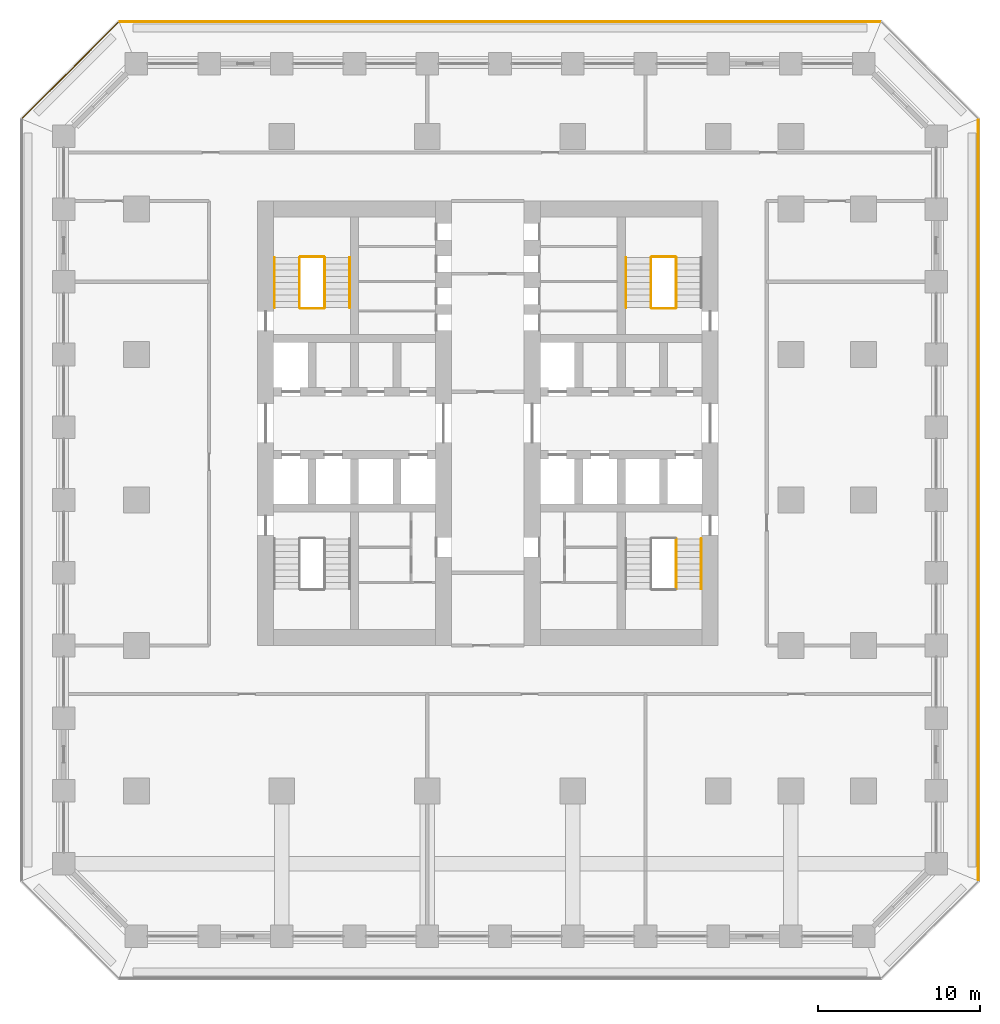
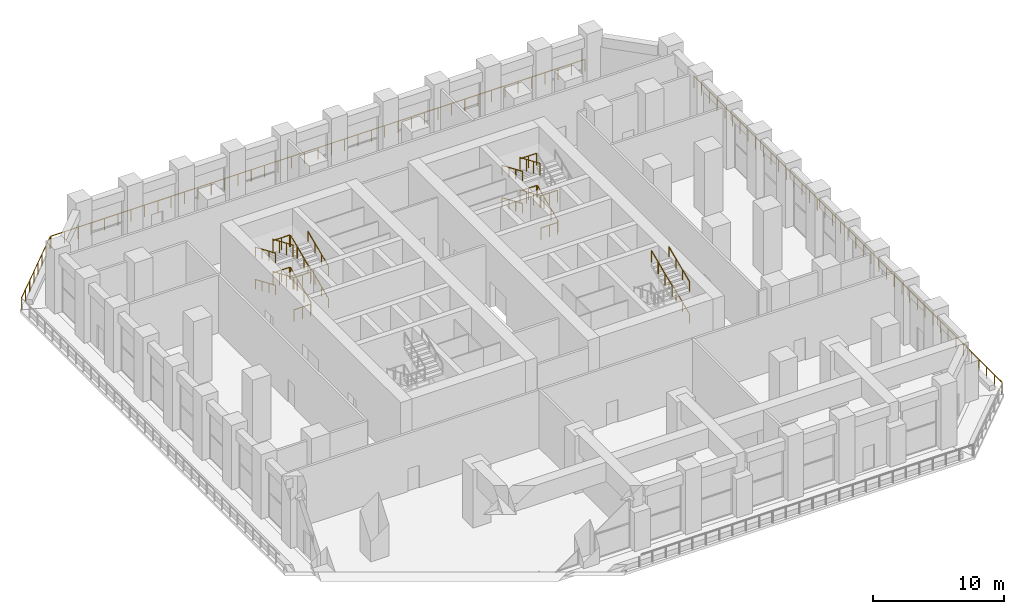
# One storey, part 17 of 19: 27 railings.
"""IFC4 building model written with IfcOpenShell, lengths in metres."""

from ifc_helpers import new_model, si_unit, direction, frame, origin, origin_2d, place, context, subcontext, project, spatial, circle, extrude, material, type_object, element, save


model = new_model("IFC4")

# Units and contexts
model_context = context("Model", 3, precision=1e-05, world=origin(), true_north=direction((0.0, 1.0)))
body_context = subcontext(model_context, "Body", "Model", "MODEL_VIEW")
ifc_project = project(units=[si_unit("LENGTHUNIT", "METRE"), si_unit("AREAUNIT", "SQUARE_METRE"), si_unit("VOLUMEUNIT", "CUBIC_METRE"), si_unit("PLANEANGLEUNIT", "RADIAN"), si_unit("MASSUNIT", "GRAM", prefix="KILO")], contexts=[model_context])

# Site, building, storey
site_placement = place(None, origin())
site = spatial("IfcSite", under=ifc_project, at=site_placement, CompositionType="ELEMENT")
building_placement = place(site_placement, origin())
building = spatial("IfcBuilding", under=site, at=building_placement, Name="Corbel Stack Research Tower", CompositionType="ELEMENT")
storey_placement = place(building_placement, frame((0.0, 0.0, 70.60009765625)))
storey = spatial("IfcBuildingStorey", under=building, at=storey_placement, Name="L16", CompositionType="ELEMENT", Elevation=70.60009765625)

# Railings
ifc_material_1 = material(Name="Steel S355", Category="steel")
railing_type_1 = type_object("IfcRailingType", Name="Stair guard 1100", PredefinedType="GUARDRAIL", material=ifc_material_1)
railing_1_placement = place(storey_placement, frame((-6.35009765625, 11.89990234375, 0.16650390625)))
element("IfcRailing", 1, at=railing_1_placement, inside=storey, type_object=railing_type_1, Name="L16 ST-W2 stair guard 1", PredefinedType="GUARDRAIL", context=body_context, shape_type="SweptSolid", body=[
    extrude(circle(Radius=0.02392578125, at=origin_2d()), frame((0.0, 0.0, 1.076171875), z_axis=(0.0, 0.918800789217, 0.394721559753), x_axis=(-1.0, 0.0, 0.0)), (0.0, 0.0, 1.0), 3.37841796875),
    extrude(circle(Radius=0.02099609375, at=origin_2d()), origin(), (0.0, 0.0, 1.0), 1.052001953125),
    extrude(circle(Radius=0.02099609375, at=origin_2d()), frame((0.0, 1.03466796875, 0.444580078125)), (0.0, 0.0, 1.0), 1.052001953125),
    extrude(circle(Radius=0.02099609375, at=origin_2d()), frame((0.0, 2.0693359375, 0.888916015625)), (0.0, 0.0, 1.0), 1.052001953125),
    extrude(circle(Radius=0.02099609375, at=origin_2d()), frame((0.0, 3.10400390625, 1.33349609375)), (0.0, 0.0, 1.0), 1.052001953125),
])
railing_2_placement = place(storey_placement, frame((-6.39990234375, 15.053955078125, 1.5)))
element("IfcRailing", 2, at=railing_2_placement, inside=storey, type_object=railing_type_1, Name="L16 ST-W2 stair guard 2", PredefinedType="GUARDRAIL", context=body_context, shape_type="SweptSolid", body=[
    extrude(circle(Radius=0.02392578125, at=origin_2d()), frame((0.0, 0.0, 1.076171875), z_axis=(-1.0, 0.0, 0.0), x_axis=(0.0, -1.0, 0.0)), (0.0, 0.0, 1.0), 1.4501953125),
    extrude(circle(Radius=0.02099609375, at=origin_2d()), origin(), (0.0, 0.0, 1.0), 1.052001953125),
    extrude(circle(Radius=0.02099609375, at=origin_2d()), frame((-0.72509765625, 0.0, 0.0)), (0.0, 0.0, 1.0), 1.052001953125),
    extrude(circle(Radius=0.02099609375, at=origin_2d()), frame((-1.4501953125, 0.0, 0.0)), (0.0, 0.0, 1.0), 1.052001953125),
])
railing_3_placement = place(storey_placement, frame((-7.89990234375, 15.00390625, 1.66650390625)))
element("IfcRailing", 3, at=railing_3_placement, inside=storey, type_object=railing_type_1, Name="L16 ST-W2 stair guard 3", PredefinedType="GUARDRAIL", context=body_context, shape_type="SweptSolid", body=[
    extrude(circle(Radius=0.02392578125, at=origin_2d()), frame((0.0, 0.0, 1.076171875), z_axis=(0.0, -0.918800789217, 0.394721559753), x_axis=(1.0, 0.0, 0.0)), (0.0, 0.0, 1.0), 3.37841796875),
    extrude(circle(Radius=0.02099609375, at=origin_2d()), origin(), (0.0, 0.0, 1.0), 1.052001953125),
    extrude(circle(Radius=0.02099609375, at=origin_2d()), frame((0.0, -1.03466796875, 0.444580078125)), (0.0, 0.0, 1.0), 1.052001953125),
    extrude(circle(Radius=0.02099609375, at=origin_2d()), frame((0.0, -2.0693359375, 0.888916015625)), (0.0, 0.0, 1.0), 1.052001953125),
    extrude(circle(Radius=0.02099609375, at=origin_2d()), frame((0.0, -3.10400390625, 1.33349609375)), (0.0, 0.0, 1.0), 1.052001953125),
])
railing_4_placement = place(storey_placement, frame((-6.39990234375, 11.85009765625, 3.0)))
element("IfcRailing", 4, at=railing_4_placement, inside=storey, type_object=railing_type_1, Name="L16 ST-W2 stair guard 4", PredefinedType="GUARDRAIL", context=body_context, shape_type="SweptSolid", body=[
    extrude(circle(Radius=0.02392578125, at=origin_2d()), frame((0.0, 0.0, 1.076171875), z_axis=(-1.0, 0.0, 0.0), x_axis=(0.0, -1.0, 0.0)), (0.0, 0.0, 1.0), 1.4501953125),
    extrude(circle(Radius=0.02099609375, at=origin_2d()), origin(), (0.0, 0.0, 1.0), 1.052001953125),
    extrude(circle(Radius=0.02099609375, at=origin_2d()), frame((-0.72509765625, 0.0, 0.0)), (0.0, 0.0, 1.0), 1.052001953125),
    extrude(circle(Radius=0.02099609375, at=origin_2d()), frame((-1.4501953125, 0.0, 0.0)), (0.0, 0.0, 1.0), 1.052001953125),
])
railing_5_placement = place(storey_placement, frame((-6.35009765625, 11.89990234375, 3.16650390625)))
element("IfcRailing", 5, at=railing_5_placement, inside=storey, type_object=railing_type_1, Name="L16 ST-W2 stair guard 5", PredefinedType="GUARDRAIL", context=body_context, shape_type="SweptSolid", body=[
    extrude(circle(Radius=0.02392578125, at=origin_2d()), frame((0.0, 0.0, 1.076171875), z_axis=(0.0, 0.918800789217, 0.394721559753), x_axis=(-1.0, 0.0, 0.0)), (0.0, 0.0, 1.0), 3.37841796875),
    extrude(circle(Radius=0.02099609375, at=origin_2d()), origin(), (0.0, 0.0, 1.0), 1.052001953125),
    extrude(circle(Radius=0.02099609375, at=origin_2d()), frame((0.0, 1.03466796875, 0.444580078125)), (0.0, 0.0, 1.0), 1.052001953125),
    extrude(circle(Radius=0.02099609375, at=origin_2d()), frame((0.0, 2.0693359375, 0.888916015625)), (0.0, 0.0, 1.0), 1.052001953125),
    extrude(circle(Radius=0.02099609375, at=origin_2d()), frame((0.0, 3.10400390625, 1.33349609375)), (0.0, 0.0, 1.0), 1.052001953125),
])
railing_6_placement = place(storey_placement, frame((-6.39990234375, 15.053955078125, 4.5)))
element("IfcRailing", 6, at=railing_6_placement, inside=storey, type_object=railing_type_1, Name="L16 ST-W2 stair guard 6", PredefinedType="GUARDRAIL", context=body_context, shape_type="SweptSolid", body=[
    extrude(circle(Radius=0.02392578125, at=origin_2d()), frame((0.0, 0.0, 1.076171875), z_axis=(-1.0, 0.0, 0.0), x_axis=(0.0, -1.0, 0.0)), (0.0, 0.0, 1.0), 1.4501953125),
    extrude(circle(Radius=0.02099609375, at=origin_2d()), origin(), (0.0, 0.0, 1.0), 1.052001953125),
    extrude(circle(Radius=0.02099609375, at=origin_2d()), frame((-0.72509765625, 0.0, 0.0)), (0.0, 0.0, 1.0), 1.052001953125),
    extrude(circle(Radius=0.02099609375, at=origin_2d()), frame((-1.4501953125, 0.0, 0.0)), (0.0, 0.0, 1.0), 1.052001953125),
])
railing_7_placement = place(storey_placement, frame((-7.89990234375, 15.00390625, 4.66650390625)))
element("IfcRailing", 7, at=railing_7_placement, inside=storey, type_object=railing_type_1, Name="L16 ST-W2 stair guard 7", PredefinedType="GUARDRAIL", context=body_context, shape_type="SweptSolid", body=[
    extrude(circle(Radius=0.02392578125, at=origin_2d()), frame((0.0, 0.0, 1.076171875), z_axis=(0.0, -0.918800789217, 0.394721559753), x_axis=(1.0, 0.0, 0.0)), (0.0, 0.0, 1.0), 3.37841796875),
    extrude(circle(Radius=0.02099609375, at=origin_2d()), origin(), (0.0, 0.0, 1.0), 1.052001953125),
    extrude(circle(Radius=0.02099609375, at=origin_2d()), frame((0.0, -1.03466796875, 0.444580078125)), (0.0, 0.0, 1.0), 1.052001953125),
    extrude(circle(Radius=0.02099609375, at=origin_2d()), frame((0.0, -2.0693359375, 0.888916015625)), (0.0, 0.0, 1.0), 1.052001953125),
    extrude(circle(Radius=0.02099609375, at=origin_2d()), frame((0.0, -3.10400390625, 1.33349609375)), (0.0, 0.0, 1.0), 1.052001953125),
])
railing_8_placement = place(storey_placement, frame((-6.39990234375, 11.85009765625, 0.0)))
element("IfcRailing", 8, at=railing_8_placement, inside=storey, type_object=railing_type_1, Name="L16 ST-W2 stair guard 8", PredefinedType="GUARDRAIL", context=body_context, shape_type="SweptSolid", body=[
    extrude(circle(Radius=0.02392578125, at=origin_2d()), frame((0.0, 0.0, 1.076171875), z_axis=(-1.0, 0.0, 0.0), x_axis=(0.0, -1.0, 0.0)), (0.0, 0.0, 1.0), 1.4501953125),
    extrude(circle(Radius=0.02099609375, at=origin_2d()), origin(), (0.0, 0.0, 1.0), 1.052001953125),
    extrude(circle(Radius=0.02099609375, at=origin_2d()), frame((-0.72509765625, 0.0, 0.0)), (0.0, 0.0, 1.0), 1.052001953125),
    extrude(circle(Radius=0.02099609375, at=origin_2d()), frame((-1.4501953125, 0.0, 0.0)), (0.0, 0.0, 1.0), 1.052001953125),
])
for number, where, name in (
    (9, (15.39990234375, -5.50390625, 4.66650390625), "L16 ST-E1 stair guard 7"),
    (10, (15.39990234375, 11.89990234375, 0.16650390625), "L16 ST-E2 stair guard 1"),
):
    element("IfcRailing", number, at=place(storey_placement, frame(where)), inside=storey, type_object=railing_type_1, Name=name, PredefinedType="GUARDRAIL", context=body_context, shape_type="SweptSolid", body=[
        extrude(circle(Radius=0.02392578125, at=origin_2d()), frame((0.0, 0.0, 1.076171875), z_axis=(0.0, 0.918800789217, 0.394721559753), x_axis=(-1.0, 0.0, 0.0)), (0.0, 0.0, 1.0), 3.37841796875),
        extrude(circle(Radius=0.02099609375, at=origin_2d()), origin(), (0.0, 0.0, 1.0), 1.052001953125),
        extrude(circle(Radius=0.02099609375, at=origin_2d()), frame((0.0, 1.03466796875, 0.444580078125)), (0.0, 0.0, 1.0), 1.052001953125),
        extrude(circle(Radius=0.02099609375, at=origin_2d()), frame((0.0, 2.0693359375, 0.888916015625)), (0.0, 0.0, 1.0), 1.052001953125),
        extrude(circle(Radius=0.02099609375, at=origin_2d()), frame((0.0, 3.10400390625, 1.33349609375)), (0.0, 0.0, 1.0), 1.052001953125),
    ])
railing_9_placement = place(storey_placement, frame((15.35009765625, 15.053955078125, 1.5)))
element("IfcRailing", 11, at=railing_9_placement, inside=storey, type_object=railing_type_1, Name="L16 ST-E2 stair guard 2", PredefinedType="GUARDRAIL", context=body_context, shape_type="SweptSolid", body=[
    extrude(circle(Radius=0.02392578125, at=origin_2d()), frame((0.0, 0.0, 1.076171875), z_axis=(-1.0, 0.0, 0.0), x_axis=(0.0, -1.0, 0.0)), (0.0, 0.0, 1.0), 1.4501953125),
    extrude(circle(Radius=0.02099609375, at=origin_2d()), origin(), (0.0, 0.0, 1.0), 1.052001953125),
    extrude(circle(Radius=0.02099609375, at=origin_2d()), frame((-0.72509765625, 0.0, 0.0)), (0.0, 0.0, 1.0), 1.052001953125),
    extrude(circle(Radius=0.02099609375, at=origin_2d()), frame((-1.4501953125, 0.0, 0.0)), (0.0, 0.0, 1.0), 1.052001953125),
])
railing_10_placement = place(storey_placement, frame((13.85009765625, 15.00390625, 1.66650390625)))
element("IfcRailing", 12, at=railing_10_placement, inside=storey, type_object=railing_type_1, Name="L16 ST-E2 stair guard 3", PredefinedType="GUARDRAIL", context=body_context, shape_type="SweptSolid", body=[
    extrude(circle(Radius=0.02392578125, at=origin_2d()), frame((0.0, 0.0, 1.076171875), z_axis=(0.0, -0.918800789217, 0.394721559753), x_axis=(1.0, 0.0, 0.0)), (0.0, 0.0, 1.0), 3.37841796875),
    extrude(circle(Radius=0.02099609375, at=origin_2d()), origin(), (0.0, 0.0, 1.0), 1.052001953125),
    extrude(circle(Radius=0.02099609375, at=origin_2d()), frame((0.0, -1.03466796875, 0.444580078125)), (0.0, 0.0, 1.0), 1.052001953125),
    extrude(circle(Radius=0.02099609375, at=origin_2d()), frame((0.0, -2.0693359375, 0.888916015625)), (0.0, 0.0, 1.0), 1.052001953125),
    extrude(circle(Radius=0.02099609375, at=origin_2d()), frame((0.0, -3.10400390625, 1.33349609375)), (0.0, 0.0, 1.0), 1.052001953125),
])
for number, where, name in (
    (13, (15.35009765625, 11.85009765625, 3.0), "L16 ST-E2 stair guard 4"),
    (14, (15.35009765625, 15.053955078125, 4.5), "L16 ST-E2 stair guard 6"),
):
    element("IfcRailing", number, at=place(storey_placement, frame(where)), inside=storey, type_object=railing_type_1, Name=name, PredefinedType="GUARDRAIL", context=body_context, shape_type="SweptSolid", body=[
        extrude(circle(Radius=0.02392578125, at=origin_2d()), frame((0.0, 0.0, 1.076171875), z_axis=(-1.0, 0.0, 0.0), x_axis=(0.0, -1.0, 0.0)), (0.0, 0.0, 1.0), 1.4501953125),
        extrude(circle(Radius=0.02099609375, at=origin_2d()), origin(), (0.0, 0.0, 1.0), 1.052001953125),
        extrude(circle(Radius=0.02099609375, at=origin_2d()), frame((-0.72509765625, 0.0, 0.0)), (0.0, 0.0, 1.0), 1.052001953125),
        extrude(circle(Radius=0.02099609375, at=origin_2d()), frame((-1.4501953125, 0.0, 0.0)), (0.0, 0.0, 1.0), 1.052001953125),
    ])
railing_11_placement = place(storey_placement, frame((13.85009765625, 15.00390625, 4.66650390625)))
element("IfcRailing", 15, at=railing_11_placement, inside=storey, type_object=railing_type_1, Name="L16 ST-E2 stair guard 7", PredefinedType="GUARDRAIL", context=body_context, shape_type="SweptSolid", body=[
    extrude(circle(Radius=0.02392578125, at=origin_2d()), frame((0.0, 0.0, 1.076171875), z_axis=(0.0, -0.918800789217, 0.394721559753), x_axis=(1.0, 0.0, 0.0)), (0.0, 0.0, 1.0), 3.37841796875),
    extrude(circle(Radius=0.02099609375, at=origin_2d()), origin(), (0.0, 0.0, 1.0), 1.052001953125),
    extrude(circle(Radius=0.02099609375, at=origin_2d()), frame((0.0, -1.03466796875, 0.444580078125)), (0.0, 0.0, 1.0), 1.052001953125),
    extrude(circle(Radius=0.02099609375, at=origin_2d()), frame((0.0, -2.0693359375, 0.888916015625)), (0.0, 0.0, 1.0), 1.052001953125),
    extrude(circle(Radius=0.02099609375, at=origin_2d()), frame((0.0, -3.10400390625, 1.33349609375)), (0.0, 0.0, 1.0), 1.052001953125),
])
railing_12_placement = place(storey_placement, frame((15.35009765625, 11.85009765625, 0.0)))
element("IfcRailing", 16, at=railing_12_placement, inside=storey, type_object=railing_type_1, Name="L16 ST-E2 stair guard 8", PredefinedType="GUARDRAIL", context=body_context, shape_type="SweptSolid", body=[
    extrude(circle(Radius=0.02392578125, at=origin_2d()), frame((0.0, 0.0, 1.076171875), z_axis=(-1.0, 0.0, 0.0), x_axis=(0.0, -1.0, 0.0)), (0.0, 0.0, 1.0), 1.4501953125),
    extrude(circle(Radius=0.02099609375, at=origin_2d()), origin(), (0.0, 0.0, 1.0), 1.052001953125),
    extrude(circle(Radius=0.02099609375, at=origin_2d()), frame((-0.72509765625, 0.0, 0.0)), (0.0, 0.0, 1.0), 1.052001953125),
    extrude(circle(Radius=0.02099609375, at=origin_2d()), frame((-1.4501953125, 0.0, 0.0)), (0.0, 0.0, 1.0), 1.052001953125),
])
ifc_material_2 = material(Name="Steel S355", Category="steel")
railing_type_2 = type_object("IfcRailingType", Name="Stair handrail 900", PredefinedType="HANDRAIL", material=ifc_material_2)
railing_13_placement = place(storey_placement, frame((-4.800048828125, 11.89990234375, 0.16650390625)))
element("IfcRailing", 17, at=railing_13_placement, inside=storey, type_object=railing_type_2, Name="L16 ST-W2 stair handrail 1", PredefinedType="HANDRAIL", context=body_context, shape_type="SweptSolid", body=[
    extrude(circle(Radius=0.02392578125, at=origin_2d()), frame((0.0, 0.0, 0.8759765625), z_axis=(0.0, 0.918800789217, 0.394721559753), x_axis=(-1.0, 0.0, 0.0)), (0.0, 0.0, 1.0), 3.37841796875),
    extrude(circle(Radius=0.02099609375, at=origin_2d()), origin(), (0.0, 0.0, 1.0), 0.851806640625),
    extrude(circle(Radius=0.02099609375, at=origin_2d()), frame((0.0, 1.03466796875, 0.444580078125)), (0.0, 0.0, 1.0), 0.851806640625),
    extrude(circle(Radius=0.02099609375, at=origin_2d()), frame((0.0, 2.0693359375, 0.888916015625)), (0.0, 0.0, 1.0), 0.851806640625),
    extrude(circle(Radius=0.02099609375, at=origin_2d()), frame((0.0, 3.10400390625, 1.33349609375)), (0.0, 0.0, 1.0), 0.851806640625),
])
railing_14_placement = place(storey_placement, frame((-9.449951171875, 15.00390625, 1.66650390625)))
element("IfcRailing", 18, at=railing_14_placement, inside=storey, type_object=railing_type_2, Name="L16 ST-W2 stair handrail 2", PredefinedType="HANDRAIL", context=body_context, shape_type="SweptSolid", body=[
    extrude(circle(Radius=0.02392578125, at=origin_2d()), frame((0.0, 0.0, 0.8759765625), z_axis=(0.0, -0.918800789217, 0.394721559753), x_axis=(1.0, 0.0, 0.0)), (0.0, 0.0, 1.0), 3.37841796875),
    extrude(circle(Radius=0.02099609375, at=origin_2d()), origin(), (0.0, 0.0, 1.0), 0.851806640625),
    extrude(circle(Radius=0.02099609375, at=origin_2d()), frame((0.0, -1.03466796875, 0.444580078125)), (0.0, 0.0, 1.0), 0.851806640625),
    extrude(circle(Radius=0.02099609375, at=origin_2d()), frame((0.0, -2.0693359375, 0.888916015625)), (0.0, 0.0, 1.0), 0.851806640625),
    extrude(circle(Radius=0.02099609375, at=origin_2d()), frame((0.0, -3.10400390625, 1.33349609375)), (0.0, 0.0, 1.0), 0.851806640625),
])
railing_15_placement = place(storey_placement, frame((-4.800048828125, 11.89990234375, 3.16650390625)))
element("IfcRailing", 19, at=railing_15_placement, inside=storey, type_object=railing_type_2, Name="L16 ST-W2 stair handrail 3", PredefinedType="HANDRAIL", context=body_context, shape_type="SweptSolid", body=[
    extrude(circle(Radius=0.02392578125, at=origin_2d()), frame((0.0, 0.0, 0.8759765625), z_axis=(0.0, 0.918800789217, 0.394721559753), x_axis=(-1.0, 0.0, 0.0)), (0.0, 0.0, 1.0), 3.37841796875),
    extrude(circle(Radius=0.02099609375, at=origin_2d()), origin(), (0.0, 0.0, 1.0), 0.851806640625),
    extrude(circle(Radius=0.02099609375, at=origin_2d()), frame((0.0, 1.03466796875, 0.444580078125)), (0.0, 0.0, 1.0), 0.851806640625),
    extrude(circle(Radius=0.02099609375, at=origin_2d()), frame((0.0, 2.0693359375, 0.888916015625)), (0.0, 0.0, 1.0), 0.851806640625),
    extrude(circle(Radius=0.02099609375, at=origin_2d()), frame((0.0, 3.10400390625, 1.33349609375)), (0.0, 0.0, 1.0), 0.851806640625),
])
railing_16_placement = place(storey_placement, frame((-9.449951171875, 15.00390625, 4.66650390625)))
element("IfcRailing", 20, at=railing_16_placement, inside=storey, type_object=railing_type_2, Name="L16 ST-W2 stair handrail 4", PredefinedType="HANDRAIL", context=body_context, shape_type="SweptSolid", body=[
    extrude(circle(Radius=0.02392578125, at=origin_2d()), frame((0.0, 0.0, 0.8759765625), z_axis=(0.0, -0.918800789217, 0.394721559753), x_axis=(1.0, 0.0, 0.0)), (0.0, 0.0, 1.0), 3.37841796875),
    extrude(circle(Radius=0.02099609375, at=origin_2d()), origin(), (0.0, 0.0, 1.0), 0.851806640625),
    extrude(circle(Radius=0.02099609375, at=origin_2d()), frame((0.0, -1.03466796875, 0.444580078125)), (0.0, 0.0, 1.0), 0.851806640625),
    extrude(circle(Radius=0.02099609375, at=origin_2d()), frame((0.0, -2.0693359375, 0.888916015625)), (0.0, 0.0, 1.0), 0.851806640625),
    extrude(circle(Radius=0.02099609375, at=origin_2d()), frame((0.0, -3.10400390625, 1.33349609375)), (0.0, 0.0, 1.0), 0.851806640625),
])
for number, where, name in (
    (21, (16.949951171875, -5.50390625, 1.66650390625), "L16 ST-E1 stair handrail 2"),
    (22, (16.949951171875, -5.50390625, 4.66650390625), "L16 ST-E1 stair handrail 4"),
):
    element("IfcRailing", number, at=place(storey_placement, frame(where)), inside=storey, type_object=railing_type_2, Name=name, PredefinedType="HANDRAIL", context=body_context, shape_type="SweptSolid", body=[
        extrude(circle(Radius=0.02392578125, at=origin_2d()), frame((0.0, 0.0, 0.8759765625), z_axis=(0.0, 0.918800789217, 0.394721559753), x_axis=(-1.0, 0.0, 0.0)), (0.0, 0.0, 1.0), 3.37841796875),
        extrude(circle(Radius=0.02099609375, at=origin_2d()), origin(), (0.0, 0.0, 1.0), 0.851806640625),
        extrude(circle(Radius=0.02099609375, at=origin_2d()), frame((0.0, 1.03466796875, 0.444580078125)), (0.0, 0.0, 1.0), 0.851806640625),
        extrude(circle(Radius=0.02099609375, at=origin_2d()), frame((0.0, 2.0693359375, 0.888916015625)), (0.0, 0.0, 1.0), 0.851806640625),
        extrude(circle(Radius=0.02099609375, at=origin_2d()), frame((0.0, 3.10400390625, 1.33349609375)), (0.0, 0.0, 1.0), 0.851806640625),
    ])
for number, where, name in (
    (23, (12.300048828125, 15.00390625, 1.66650390625), "L16 ST-E2 stair handrail 2"),
    (24, (12.300048828125, 15.00390625, 4.66650390625), "L16 ST-E2 stair handrail 4"),
):
    element("IfcRailing", number, at=place(storey_placement, frame(where)), inside=storey, type_object=railing_type_2, Name=name, PredefinedType="HANDRAIL", context=body_context, shape_type="SweptSolid", body=[
        extrude(circle(Radius=0.02392578125, at=origin_2d()), frame((0.0, 0.0, 0.8759765625), z_axis=(0.0, -0.918800789217, 0.394721559753), x_axis=(1.0, 0.0, 0.0)), (0.0, 0.0, 1.0), 3.37841796875),
        extrude(circle(Radius=0.02099609375, at=origin_2d()), origin(), (0.0, 0.0, 1.0), 0.851806640625),
        extrude(circle(Radius=0.02099609375, at=origin_2d()), frame((0.0, -1.03466796875, 0.444580078125)), (0.0, 0.0, 1.0), 0.851806640625),
        extrude(circle(Radius=0.02099609375, at=origin_2d()), frame((0.0, -2.0693359375, 0.888916015625)), (0.0, 0.0, 1.0), 0.851806640625),
        extrude(circle(Radius=0.02099609375, at=origin_2d()), frame((0.0, -3.10400390625, 1.33349609375)), (0.0, 0.0, 1.0), 0.851806640625),
    ])
ifc_material_3 = material(Name="Powder-coated steel guard", Category="steel")
railing_type_3 = type_object("IfcRailingType", Name="Steel and glass guard 1100", PredefinedType="GUARDRAIL", material=ifc_material_3)
railing_17_placement = place(storey_placement, frame((34.10009765625, -23.50537109375, 0.0)))
element("IfcRailing", 25, at=railing_17_placement, inside=storey, type_object=railing_type_3, Name="Loggia guard L16 E", PredefinedType="GUARDRAIL", context=body_context, shape_type="SweptSolid", body=[
    extrude(circle(Radius=0.02392578125, at=origin_2d()), frame((0.0, 0.0, 1.076171875), z_axis=(0.0, 1.0, 0.0), x_axis=(-1.0, 0.0, 0.0)), (0.0, 0.0, 1.0), 47.0107421875),
    extrude(circle(Radius=0.02099609375, at=origin_2d()), origin(), (0.0, 0.0, 1.0), 1.052001953125),
    extrude(circle(Radius=0.02099609375, at=origin_2d()), frame((0.0, 1.17529296875, 0.0)), (0.0, 0.0, 1.0), 1.052001953125),
    extrude(circle(Radius=0.02099609375, at=origin_2d()), frame((0.0, 2.3505859375, 0.0)), (0.0, 0.0, 1.0), 1.052001953125),
    extrude(circle(Radius=0.02099609375, at=origin_2d()), frame((0.0, 3.52587890625, 0.0)), (0.0, 0.0, 1.0), 1.052001953125),
    extrude(circle(Radius=0.02099609375, at=origin_2d()), frame((0.0, 4.701171875, 0.0)), (0.0, 0.0, 1.0), 1.052001953125),
    extrude(circle(Radius=0.02099609375, at=origin_2d()), frame((0.0, 5.87646484375, 0.0)), (0.0, 0.0, 1.0), 1.052001953125),
    extrude(circle(Radius=0.02099609375, at=origin_2d()), frame((0.0, 7.051513671875, 0.0)), (0.0, 0.0, 1.0), 1.052001953125),
    extrude(circle(Radius=0.02099609375, at=origin_2d()), frame((0.0, 8.226806640625, 0.0)), (0.0, 0.0, 1.0), 1.052001953125),
    extrude(circle(Radius=0.02099609375, at=origin_2d()), frame((0.0, 9.402099609375, 0.0)), (0.0, 0.0, 1.0), 1.052001953125),
    extrude(circle(Radius=0.02099609375, at=origin_2d()), frame((0.0, 10.577392578125, 0.0)), (0.0, 0.0, 1.0), 1.052001953125),
    extrude(circle(Radius=0.02099609375, at=origin_2d()), frame((0.0, 11.752685546875, 0.0)), (0.0, 0.0, 1.0), 1.052001953125),
    extrude(circle(Radius=0.02099609375, at=origin_2d()), frame((0.0, 12.927978515625, 0.0)), (0.0, 0.0, 1.0), 1.052001953125),
    extrude(circle(Radius=0.02099609375, at=origin_2d()), frame((0.0, 14.103271484375, 0.0)), (0.0, 0.0, 1.0), 1.052001953125),
    extrude(circle(Radius=0.02099609375, at=origin_2d()), frame((0.0, 15.278564453125, 0.0)), (0.0, 0.0, 1.0), 1.052001953125),
    extrude(circle(Radius=0.02099609375, at=origin_2d()), frame((0.0, 16.453857421875, 0.0)), (0.0, 0.0, 1.0), 1.052001953125),
    extrude(circle(Radius=0.02099609375, at=origin_2d()), frame((0.0, 17.62890625, 0.0)), (0.0, 0.0, 1.0), 1.052001953125),
    extrude(circle(Radius=0.02099609375, at=origin_2d()), frame((0.0, 18.80419921875, 0.0)), (0.0, 0.0, 1.0), 1.052001953125),
    extrude(circle(Radius=0.02099609375, at=origin_2d()), frame((0.0, 19.9794921875, 0.0)), (0.0, 0.0, 1.0), 1.052001953125),
    extrude(circle(Radius=0.02099609375, at=origin_2d()), frame((0.0, 21.15478515625, 0.0)), (0.0, 0.0, 1.0), 1.052001953125),
    extrude(circle(Radius=0.02099609375, at=origin_2d()), frame((0.0, 22.330078125, 0.0)), (0.0, 0.0, 1.0), 1.052001953125),
    extrude(circle(Radius=0.02099609375, at=origin_2d()), frame((0.0, 23.50537109375, 0.0)), (0.0, 0.0, 1.0), 1.052001953125),
    extrude(circle(Radius=0.02099609375, at=origin_2d()), frame((0.0, 24.6806640625, 0.0)), (0.0, 0.0, 1.0), 1.052001953125),
    extrude(circle(Radius=0.02099609375, at=origin_2d()), frame((0.0, 25.85595703125, 0.0)), (0.0, 0.0, 1.0), 1.052001953125),
    extrude(circle(Radius=0.02099609375, at=origin_2d()), frame((0.0, 27.03125, 0.0)), (0.0, 0.0, 1.0), 1.052001953125),
    extrude(circle(Radius=0.02099609375, at=origin_2d()), frame((0.0, 28.20654296875, 0.0)), (0.0, 0.0, 1.0), 1.052001953125),
    extrude(circle(Radius=0.02099609375, at=origin_2d()), frame((0.0, 29.3818359375, 0.0)), (0.0, 0.0, 1.0), 1.052001953125),
    extrude(circle(Radius=0.02099609375, at=origin_2d()), frame((0.0, 30.556884765625, 0.0)), (0.0, 0.0, 1.0), 1.052001953125),
    extrude(circle(Radius=0.02099609375, at=origin_2d()), frame((0.0, 31.732177734375, 0.0)), (0.0, 0.0, 1.0), 1.052001953125),
    extrude(circle(Radius=0.02099609375, at=origin_2d()), frame((0.0, 32.907470703125, 0.0)), (0.0, 0.0, 1.0), 1.052001953125),
    extrude(circle(Radius=0.02099609375, at=origin_2d()), frame((0.0, 34.082763671875, 0.0)), (0.0, 0.0, 1.0), 1.052001953125),
    extrude(circle(Radius=0.02099609375, at=origin_2d()), frame((0.0, 35.258056640625, 0.0)), (0.0, 0.0, 1.0), 1.052001953125),
    extrude(circle(Radius=0.02099609375, at=origin_2d()), frame((0.0, 36.433349609375, 0.0)), (0.0, 0.0, 1.0), 1.052001953125),
    extrude(circle(Radius=0.02099609375, at=origin_2d()), frame((0.0, 37.608642578125, 0.0)), (0.0, 0.0, 1.0), 1.052001953125),
    extrude(circle(Radius=0.02099609375, at=origin_2d()), frame((0.0, 38.783935546875, 0.0)), (0.0, 0.0, 1.0), 1.052001953125),
    extrude(circle(Radius=0.02099609375, at=origin_2d()), frame((0.0, 39.959228515625, 0.0)), (0.0, 0.0, 1.0), 1.052001953125),
    extrude(circle(Radius=0.02099609375, at=origin_2d()), frame((0.0, 41.13427734375, 0.0)), (0.0, 0.0, 1.0), 1.052001953125),
    extrude(circle(Radius=0.02099609375, at=origin_2d()), frame((0.0, 42.3095703125, 0.0)), (0.0, 0.0, 1.0), 1.052001953125),
    extrude(circle(Radius=0.02099609375, at=origin_2d()), frame((0.0, 43.48486328125, 0.0)), (0.0, 0.0, 1.0), 1.052001953125),
    extrude(circle(Radius=0.02099609375, at=origin_2d()), frame((0.0, 44.66015625, 0.0)), (0.0, 0.0, 1.0), 1.052001953125),
    extrude(circle(Radius=0.02099609375, at=origin_2d()), frame((0.0, 45.83544921875, 0.0)), (0.0, 0.0, 1.0), 1.052001953125),
    extrude(circle(Radius=0.02099609375, at=origin_2d()), frame((0.0, 47.0107421875, 0.0)), (0.0, 0.0, 1.0), 1.052001953125),
])
railing_18_placement = place(storey_placement, frame((28.00537109375, 29.60009765625, 0.0)))
element("IfcRailing", 26, at=railing_18_placement, inside=storey, type_object=railing_type_3, Name="Loggia guard L16 N", PredefinedType="GUARDRAIL", context=body_context, shape_type="SweptSolid", body=[
    extrude(circle(Radius=0.02392578125, at=origin_2d()), frame((0.0, 0.0, 1.076171875), z_axis=(-1.0, 0.0, 0.0), x_axis=(0.0, -1.0, 0.0)), (0.0, 0.0, 1.0), 47.0107421875),
    extrude(circle(Radius=0.02099609375, at=origin_2d()), origin(), (0.0, 0.0, 1.0), 1.052001953125),
    extrude(circle(Radius=0.02099609375, at=origin_2d()), frame((-1.17529296875, 0.0, 0.0)), (0.0, 0.0, 1.0), 1.052001953125),
    extrude(circle(Radius=0.02099609375, at=origin_2d()), frame((-2.3505859375, 0.0, 0.0)), (0.0, 0.0, 1.0), 1.052001953125),
    extrude(circle(Radius=0.02099609375, at=origin_2d()), frame((-3.52587890625, 0.0, 0.0)), (0.0, 0.0, 1.0), 1.052001953125),
    extrude(circle(Radius=0.02099609375, at=origin_2d()), frame((-4.701171875, 0.0, 0.0)), (0.0, 0.0, 1.0), 1.052001953125),
    extrude(circle(Radius=0.02099609375, at=origin_2d()), frame((-5.87646484375, 0.0, 0.0)), (0.0, 0.0, 1.0), 1.052001953125),
    extrude(circle(Radius=0.02099609375, at=origin_2d()), frame((-7.051513671875, 0.0, 0.0)), (0.0, 0.0, 1.0), 1.052001953125),
    extrude(circle(Radius=0.02099609375, at=origin_2d()), frame((-8.226806640625, 0.0, 0.0)), (0.0, 0.0, 1.0), 1.052001953125),
    extrude(circle(Radius=0.02099609375, at=origin_2d()), frame((-9.402099609375, 0.0, 0.0)), (0.0, 0.0, 1.0), 1.052001953125),
    extrude(circle(Radius=0.02099609375, at=origin_2d()), frame((-10.577392578125, 0.0, 0.0)), (0.0, 0.0, 1.0), 1.052001953125),
    extrude(circle(Radius=0.02099609375, at=origin_2d()), frame((-11.752685546875, 0.0, 0.0)), (0.0, 0.0, 1.0), 1.052001953125),
    extrude(circle(Radius=0.02099609375, at=origin_2d()), frame((-12.927978515625, 0.0, 0.0)), (0.0, 0.0, 1.0), 1.052001953125),
    extrude(circle(Radius=0.02099609375, at=origin_2d()), frame((-14.103271484375, 0.0, 0.0)), (0.0, 0.0, 1.0), 1.052001953125),
    extrude(circle(Radius=0.02099609375, at=origin_2d()), frame((-15.278564453125, 0.0, 0.0)), (0.0, 0.0, 1.0), 1.052001953125),
    extrude(circle(Radius=0.02099609375, at=origin_2d()), frame((-16.453857421875, 0.0, 0.0)), (0.0, 0.0, 1.0), 1.052001953125),
    extrude(circle(Radius=0.02099609375, at=origin_2d()), frame((-17.62890625, 0.0, 0.0)), (0.0, 0.0, 1.0), 1.052001953125),
    extrude(circle(Radius=0.02099609375, at=origin_2d()), frame((-18.80419921875, 0.0, 0.0)), (0.0, 0.0, 1.0), 1.052001953125),
    extrude(circle(Radius=0.02099609375, at=origin_2d()), frame((-19.9794921875, 0.0, 0.0)), (0.0, 0.0, 1.0), 1.052001953125),
    extrude(circle(Radius=0.02099609375, at=origin_2d()), frame((-21.15478515625, 0.0, 0.0)), (0.0, 0.0, 1.0), 1.052001953125),
    extrude(circle(Radius=0.02099609375, at=origin_2d()), frame((-22.330078125, 0.0, 0.0)), (0.0, 0.0, 1.0), 1.052001953125),
    extrude(circle(Radius=0.02099609375, at=origin_2d()), frame((-23.50537109375, 0.0, 0.0)), (0.0, 0.0, 1.0), 1.052001953125),
    extrude(circle(Radius=0.02099609375, at=origin_2d()), frame((-24.6806640625, 0.0, 0.0)), (0.0, 0.0, 1.0), 1.052001953125),
    extrude(circle(Radius=0.02099609375, at=origin_2d()), frame((-25.85595703125, 0.0, 0.0)), (0.0, 0.0, 1.0), 1.052001953125),
    extrude(circle(Radius=0.02099609375, at=origin_2d()), frame((-27.03125, 0.0, 0.0)), (0.0, 0.0, 1.0), 1.052001953125),
    extrude(circle(Radius=0.02099609375, at=origin_2d()), frame((-28.20654296875, 0.0, 0.0)), (0.0, 0.0, 1.0), 1.052001953125),
    extrude(circle(Radius=0.02099609375, at=origin_2d()), frame((-29.3818359375, 0.0, 0.0)), (0.0, 0.0, 1.0), 1.052001953125),
    extrude(circle(Radius=0.02099609375, at=origin_2d()), frame((-30.556884765625, 0.0, 0.0)), (0.0, 0.0, 1.0), 1.052001953125),
    extrude(circle(Radius=0.02099609375, at=origin_2d()), frame((-31.732177734375, 0.0, 0.0)), (0.0, 0.0, 1.0), 1.052001953125),
    extrude(circle(Radius=0.02099609375, at=origin_2d()), frame((-32.907470703125, 0.0, 0.0)), (0.0, 0.0, 1.0), 1.052001953125),
    extrude(circle(Radius=0.02099609375, at=origin_2d()), frame((-34.082763671875, 0.0, 0.0)), (0.0, 0.0, 1.0), 1.052001953125),
    extrude(circle(Radius=0.02099609375, at=origin_2d()), frame((-35.258056640625, 0.0, 0.0)), (0.0, 0.0, 1.0), 1.052001953125),
    extrude(circle(Radius=0.02099609375, at=origin_2d()), frame((-36.433349609375, 0.0, 0.0)), (0.0, 0.0, 1.0), 1.052001953125),
    extrude(circle(Radius=0.02099609375, at=origin_2d()), frame((-37.608642578125, 0.0, 0.0)), (0.0, 0.0, 1.0), 1.052001953125),
    extrude(circle(Radius=0.02099609375, at=origin_2d()), frame((-38.783935546875, 0.0, 0.0)), (0.0, 0.0, 1.0), 1.052001953125),
    extrude(circle(Radius=0.02099609375, at=origin_2d()), frame((-39.959228515625, 0.0, 0.0)), (0.0, 0.0, 1.0), 1.052001953125),
    extrude(circle(Radius=0.02099609375, at=origin_2d()), frame((-41.13427734375, 0.0, 0.0)), (0.0, 0.0, 1.0), 1.052001953125),
    extrude(circle(Radius=0.02099609375, at=origin_2d()), frame((-42.3095703125, 0.0, 0.0)), (0.0, 0.0, 1.0), 1.052001953125),
    extrude(circle(Radius=0.02099609375, at=origin_2d()), frame((-43.48486328125, 0.0, 0.0)), (0.0, 0.0, 1.0), 1.052001953125),
    extrude(circle(Radius=0.02099609375, at=origin_2d()), frame((-44.66015625, 0.0, 0.0)), (0.0, 0.0, 1.0), 1.052001953125),
    extrude(circle(Radius=0.02099609375, at=origin_2d()), frame((-45.83544921875, 0.0, 0.0)), (0.0, 0.0, 1.0), 1.052001953125),
    extrude(circle(Radius=0.02099609375, at=origin_2d()), frame((-47.0107421875, 0.0, 0.0)), (0.0, 0.0, 1.0), 1.052001953125),
])
railing_19_placement = place(storey_placement, frame((-19.127685546875, 29.54931640625, 0.0)))
element("IfcRailing", 27, at=railing_19_placement, inside=storey, type_object=railing_type_3, Name="Loggia guard L16 NW", PredefinedType="GUARDRAIL", context=body_context, shape_type="SweptSolid", body=[
    extrude(circle(Radius=0.02392578125, at=origin_2d()), frame((0.0, 0.0, 1.076171875), z_axis=(-0.707106781187, -0.707106781187, 0.0), x_axis=(0.707106781187, -0.707106781187, 0.0)), (0.0, 0.0, 1.0), 8.37451171875),
    extrude(circle(Radius=0.02099609375, at=origin_2d()), origin(), (0.0, 0.0, 1.0), 1.052001953125),
    extrude(circle(Radius=0.02099609375, at=origin_2d()), frame((-0.845947265625, -0.845947265625, 0.0)), (0.0, 0.0, 1.0), 1.052001953125),
    extrude(circle(Radius=0.02099609375, at=origin_2d()), frame((-1.69189453125, -1.69189453125, 0.0)), (0.0, 0.0, 1.0), 1.052001953125),
    extrude(circle(Radius=0.02099609375, at=origin_2d()), frame((-2.537841796875, -2.537841796875, 0.0)), (0.0, 0.0, 1.0), 1.052001953125),
    extrude(circle(Radius=0.02099609375, at=origin_2d()), frame((-3.3837890625, -3.3837890625, 0.0)), (0.0, 0.0, 1.0), 1.052001953125),
    extrude(circle(Radius=0.02099609375, at=origin_2d()), frame((-4.229736328125, -4.229736328125, 0.0)), (0.0, 0.0, 1.0), 1.052001953125),
    extrude(circle(Radius=0.02099609375, at=origin_2d()), frame((-5.07568359375, -5.07568359375, 0.0)), (0.0, 0.0, 1.0), 1.052001953125),
    extrude(circle(Radius=0.02099609375, at=origin_2d()), frame((-5.921630859375, -5.921630859375, 0.0)), (0.0, 0.0, 1.0), 1.052001953125),
])

save(model, "model.ifc")
